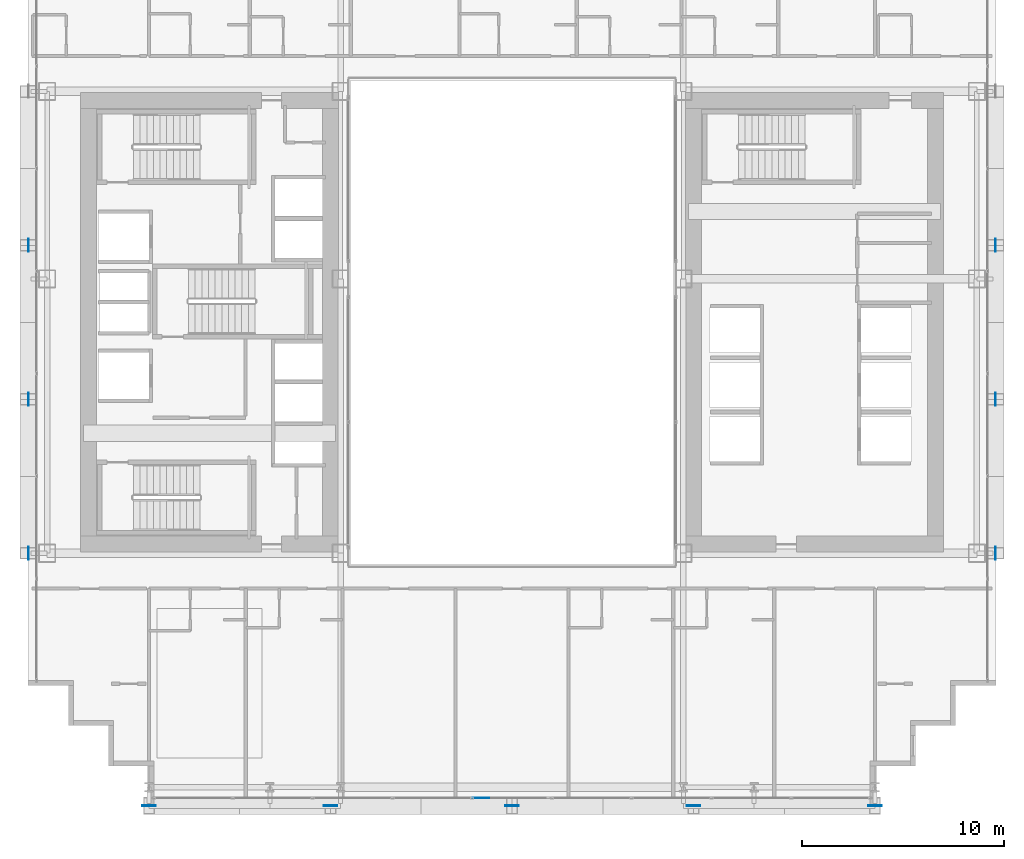
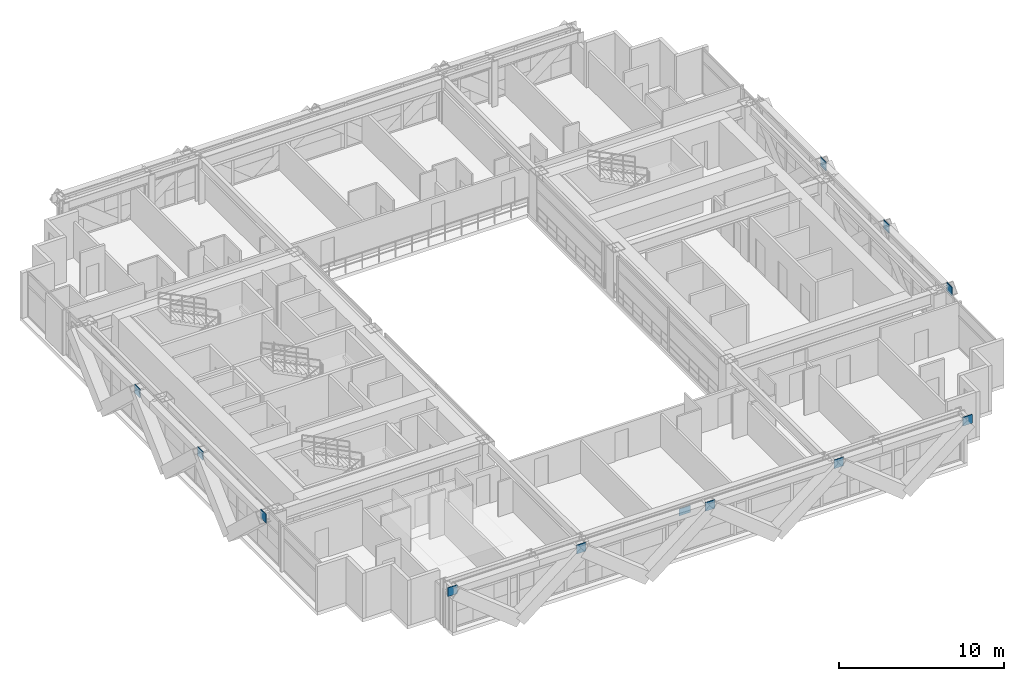
# One storey, part 31 of 41: 12 plates, 1 element without a shape of its own.
"""IFC4 building model written with IfcOpenShell, lengths in metres."""

import ifcopenshell
import ifcopenshell.guid

model = None  # the IFC model being written
_history = None  # IfcOwnerHistory: only IFC2X3 demands one
_inside = {}  # id of a spatial element -> (the spatial element, [elements in it])
_under = {}  # id of a project, library or spatial element -> (it, [spatial elements below it])
_declared = {}  # id of a project -> (the project, [libraries it declares])
_typed = {}  # id of a type object -> (the type object, [elements of that type])
_made_of = {}  # id of a material, layer set ... -> (it, [elements and type objects made of it])


def new_model(schema):
    """Start an empty IFC model of exactly this schema.

    Asked for "IFC4X3", IfcOpenShell would pick the latest addendum, in which some entities
    have other attributes; the version numbers below select the first issue.
    IFC2X3 requires an IfcOwnerHistory on every rooted entity: one is made here for all.
    """
    global model, _history
    if schema == "IFC4X3":
        model = ifcopenshell.file(schema_version=(4, 3, 0, 0))
    else:
        model = ifcopenshell.file(schema=schema)
    _inside.clear()
    _under.clear()
    _declared.clear()
    _typed.clear()
    _made_of.clear()
    _history = None
    if model.schema == "IFC2X3":
        org = make("IfcOrganization", Name="unknown")
        user = make(
            "IfcPersonAndOrganization",
            ThePerson=make("IfcPerson", FamilyName="unknown"),
            TheOrganization=org,
        )
        app = make(
            "IfcApplication",
            ApplicationDeveloper=org,
            Version="unknown",
            ApplicationFullName="unknown",
            ApplicationIdentifier="unknown",
        )
        _history = make(
            "IfcOwnerHistory",
            OwningUser=user,
            OwningApplication=app,
            ChangeAction="ADDED",
            CreationDate=0,
        )
    return model


def make(cls, **values):
    """One entity of the class cls with the attributes given. An attribute that is None is left unset."""
    return model.create_entity(
        cls, **{name: value for name, value in values.items() if value is not None}
    )


def rooted(cls, **values):
    """An entity with a GlobalId (a new one), such as an element, a storey or a relation."""
    return make(cls, GlobalId=ifcopenshell.guid.new(), OwnerHistory=_history, **values)


def si_unit(unit_type, name, prefix=None):
    """IfcSIUnit, for example si_unit("LENGTHUNIT", "METRE", prefix="MILLI")."""
    return make("IfcSIUnit", UnitType=unit_type, Prefix=prefix, Name=name)


def assignment(units):
    """IfcUnitAssignment: the units of a project."""
    return None if units is None else make("IfcUnitAssignment", Units=units)


def point(xyz):
    """IfcCartesianPoint."""
    return None if xyz is None else make("IfcCartesianPoint", Coordinates=xyz)


def direction(xyz):
    """IfcDirection."""
    return None if xyz is None else make("IfcDirection", DirectionRatios=xyz)


def frame(location, z_axis=None, x_axis=None):
    """IfcAxis2Placement3D, a coordinate frame: its origin and axes. An axis left out is left unset."""
    return make(
        "IfcAxis2Placement3D",
        Location=point(location),
        Axis=direction(z_axis),
        RefDirection=direction(x_axis),
    )


def frame_2d(location, x_axis=None):
    """IfcAxis2Placement2D, a coordinate frame in the plane: its origin and x axis."""
    return make(
        "IfcAxis2Placement2D", Location=point(location), RefDirection=direction(x_axis)
    )


def origin():
    """The frame at (0, 0, 0) with its axes left unset."""
    return frame((0.0, 0.0, 0.0))


def origin_2d():
    """The frame at (0, 0) in the plane with its x axis left unset."""
    return frame_2d((0.0, 0.0))


def place(relative_to, where):
    """IfcLocalPlacement: puts the frame where relative to a parent placement (None: the world)."""
    return make(
        "IfcLocalPlacement", PlacementRelTo=relative_to, RelativePlacement=where
    )


def context(
    kind, dimensions, precision=None, world=None, true_north=None, identifier=None
):
    """IfcGeometricRepresentationContext, for example the 3D "Model" context."""
    return make(
        "IfcGeometricRepresentationContext",
        ContextIdentifier=identifier,
        ContextType=kind,
        CoordinateSpaceDimension=dimensions,
        Precision=precision,
        WorldCoordinateSystem=world,
        TrueNorth=true_north,
    )


def subcontext(parent, identifier, kind, view, scale=None):
    """IfcGeometricRepresentationSubContext, for example "Body" below "Model"."""
    return make(
        "IfcGeometricRepresentationSubContext",
        ContextIdentifier=identifier,
        ContextType=kind,
        ParentContext=parent,
        TargetScale=scale,
        TargetView=view,
    )


def project(units=None, contexts=None):
    """IfcProject with its units and contexts."""
    return rooted(
        "IfcProject",
        Name="project",
        RepresentationContexts=contexts,
        UnitsInContext=assignment(units),
    )


def spatial(cls, under=None, at=None, **own):
    """A site, building, storey or space (cls), placed at a placement, below another one or the project."""
    s = rooted(cls, ObjectPlacement=at, **own)
    if under is not None:
        _under.setdefault(under.id(), (under, []))[1].append(s)
    return s


def profile(cls, at=None, kind="AREA", **sizes):
    """A parametric profile (cls). Its sizes go by their IFC names, for example OverallWidth=200.0."""
    return make(cls, ProfileType=kind, Position=at, **sizes)


def rectangle(**sizes):
    """IfcRectangleProfileDef."""
    return profile("IfcRectangleProfileDef", **sizes)


def extrude(swept, where, along, depth):
    """IfcExtrudedAreaSolid: the profile swept, set in the frame where, extruded along a direction by depth."""
    return make(
        "IfcExtrudedAreaSolid",
        SweptArea=swept,
        Position=where,
        ExtrudedDirection=direction(along),
        Depth=depth,
    )


def shape(context_of_items, identifier, shape_type, items):
    """IfcShapeRepresentation: the items that make up one representation, for example the "Body"."""
    return make(
        "IfcShapeRepresentation",
        ContextOfItems=context_of_items,
        RepresentationIdentifier=identifier,
        RepresentationType=shape_type,
        Items=items,
    )


def source(mapping_origin, context_of_items, identifier, shape_type, items):
    """IfcRepresentationMap: a shape defined once, which mapped items show again and again."""
    return make(
        "IfcRepresentationMap",
        MappingOrigin=mapping_origin,
        MappedRepresentation=shape(context_of_items, identifier, shape_type, items),
    )


def transform(
    local_origin,
    x_axis=None,
    y_axis=None,
    z_axis=None,
    scale=None,
    scale2=None,
    scale3=None,
    uniform=True,
):
    """IfcCartesianTransformationOperator3D, or its non-uniform kind. x_axis, y_axis, z_axis: its Axis1, 2, 3."""
    if uniform:
        return make(
            "IfcCartesianTransformationOperator3D",
            Axis1=direction(x_axis),
            Axis2=direction(y_axis),
            LocalOrigin=point(local_origin),
            Scale=scale,
            Axis3=direction(z_axis),
        )
    return make(
        "IfcCartesianTransformationOperator3DnonUniform",
        Axis1=direction(x_axis),
        Axis2=direction(y_axis),
        LocalOrigin=point(local_origin),
        Scale=scale,
        Axis3=direction(z_axis),
        Scale2=scale2,
        Scale3=scale3,
    )


def mapped(mapping_source, mapping_target):
    """IfcMappedItem: shows the shape of a source again, moved by a transform."""
    return make(
        "IfcMappedItem", MappingSource=mapping_source, MappingTarget=mapping_target
    )


def material(Name=None, Category=None):
    """IfcMaterial."""
    return make("IfcMaterial", Name=Name, Category=Category)


def layer(
    of_material, thickness, ventilated=None, Name=None, Category=None, Priority=None
):
    """IfcMaterialLayer: one layer of a wall or slab, of a material (None: an air gap)."""
    return make(
        "IfcMaterialLayer",
        Material=of_material,
        LayerThickness=thickness,
        IsVentilated=ventilated,
        Name=Name,
        Category=Category,
        Priority=Priority,
    )


def layer_set(layers, Name=None):
    """IfcMaterialLayerSet."""
    return make("IfcMaterialLayerSet", MaterialLayers=layers, LayerSetName=Name)


def made_of(thing, what):
    """Note that an element or type object is made of a material, layer set ...; save() writes the relation."""
    if what is not None:
        _made_of.setdefault(what.id(), (what, []))[1].append(thing)
    return thing


def type_object(cls, material=None, **own):
    """A type object (cls), such as IfcWallType, which elements share."""
    return made_of(rooted(cls, **own), material)


def element(
    cls,
    number,
    at=None,
    inside=None,
    cuts=None,
    type_object=None,
    material=None,
    context=None,
    identifier="Body",
    shape_type=None,
    held_by="IfcProductDefinitionShape",
    body=None,
    shapes=None,
    **own,
):
    """One element of the class cls, such as IfcWall. Its Tag is "e" and its number.

    at: its placement. inside: the storey or other place that contains it. cuts: it is an
    opening in that element (IfcRelVoidsElement). A single representation is given by context,
    identifier, shape_type and body (its items); several are given by shapes. held_by: the class
    of the entity that holds the representations. save() writes the other relations.
    """
    e = rooted(cls, Tag="e%d" % number, ObjectPlacement=at, **own)
    if body is not None:
        shapes = [shape(context, identifier, shape_type, body)]
    if shapes is not None:
        e.Representation = make(held_by, Representations=shapes)
    if inside is not None:
        _inside.setdefault(inside.id(), (inside, []))[1].append(e)
    if cuts is not None:
        rooted(
            "IfcRelVoidsElement", RelatingBuildingElement=cuts, RelatedOpeningElement=e
        )
    if type_object is not None:
        _typed.setdefault(type_object.id(), (type_object, []))[1].append(e)
    return made_of(e, material)


def aggregate(whole, parts):
    """IfcRelAggregates: a whole, such as a stair, and the parts it consists of."""
    return rooted("IfcRelAggregates", RelatingObject=whole, RelatedObjects=parts)


def save(model, path):
    """Write the relations noted so far, then the file.

    IfcRelAggregates (storeys below a building ...), IfcRelContainedInSpatialStructure (elements
    in a storey), IfcRelDefinesByType, IfcRelAssociatesMaterial and IfcRelDeclares: one each for
    every whole, place, type object, material and project.
    """
    for whole, parts in _under.values():
        aggregate(whole, parts)
    for where, things in _inside.values():
        rooted(
            "IfcRelContainedInSpatialStructure",
            RelatedElements=things,
            RelatingStructure=where,
        )
    for kind, things in _typed.values():
        rooted("IfcRelDefinesByType", RelatedObjects=things, RelatingType=kind)
    for what, things in _made_of.values():
        rooted("IfcRelAssociatesMaterial", RelatedObjects=things, RelatingMaterial=what)
    for by, libraries in _declared.values():
        rooted("IfcRelDeclares", RelatingContext=by, RelatedDefinitions=libraries)
    model.write(path)


model = new_model("IFC4")

# Units and contexts
model_context = context("Model", 3, precision=1e-05, world=origin(), true_north=direction((0.0, 1.0)))
body_context = subcontext(model_context, "Body", "Model", "MODEL_VIEW")
ifc_project = project(units=[si_unit("LENGTHUNIT", "METRE"), si_unit("AREAUNIT", "SQUARE_METRE"), si_unit("VOLUMEUNIT", "CUBIC_METRE"), si_unit("PLANEANGLEUNIT", "RADIAN"), si_unit("MASSUNIT", "GRAM", prefix="KILO")], contexts=[model_context])

# Site, building, storey
site_placement = place(None, origin())
site = spatial("IfcSite", under=ifc_project, at=site_placement, CompositionType="ELEMENT")
building_placement = place(site_placement, origin())
building = spatial("IfcBuilding", under=site, at=building_placement, Name="Ocotamira Hotel", CompositionType="ELEMENT")
storey_placement = place(building_placement, frame((0.0, 0.0, 67.199951171875)))
storey = spatial("IfcBuildingStorey", under=building, at=storey_placement, Name="L16", CompositionType="ELEMENT", Elevation=67.199951171875)

# Plates
ifc_material_1 = material(Name="Pale-metal coated steel ASTM A572 Grade 50", Category="steel")
ifc_layer_1 = layer(ifc_material_1, 0.0400390625)
ifc_layer_set_1 = layer_set([ifc_layer_1], Name="Pale-metal coated steel ASTM A572 Grade 50")
plate_type_1 = type_object("IfcPlateType", Name="PLT-GUSSET-40", PredefinedType="SHEET", material=ifc_layer_set_1)
shared_shape_1 = source(origin(), body_context, "Body", "SweptSolid", [
    extrude(rectangle(XDim=0.64990234375, YDim=0.0400390625, at=origin_2d()), origin(), (0.0, 0.0, 1.0), 0.64990234375),
])
for number, where, z_axis, x_axis, name in (
    (1, (14.0, 2.030029296875, 2.775146484375), (0.0, 0.0, 1.0), (-1.0, 0.0, 0.0), "L16 Exoskeleton Diagrid S0.1 End Gusset B"),
    (2, (23.0, 2.030029296875, 2.775146484375), (0.0, 0.0, 1.0), (1.0, 0.0, 0.0), "L16 Exoskeleton Diagrid S0.2 End Gusset B"),
    (3, (32.0, 2.030029296875, 2.775146484375), (0.0, 0.0, 1.0), (1.0, 0.0, 0.0), "L16 Exoskeleton Diagrid S1.2 End Gusset B"),
    (4, (41.0, 2.030029296875, 2.775146484375), (0.0, 0.0, 1.0), (1.0, 0.0, 0.0), "L16 Exoskeleton Diagrid S2.2 End Gusset B"),
    (5, (50.0, 2.030029296875, 2.775146484375), (0.0, 0.0, 1.0), (1.0, 0.0, 0.0), "L16 Exoskeleton Diagrid S3.2 End Gusset B"),
):
    element("IfcPlate", number, at=place(storey_placement, frame(where, z_axis=z_axis, x_axis=x_axis)), inside=storey, type_object=plate_type_1, Name=name, PredefinedType="SHEET", context=body_context, shape_type="MappedRepresentation", body=[
        mapped(shared_shape_1, transform((0.0, 0.0, 0.0), scale=1.0)),
    ])
shared_shape_2 = source(origin(), body_context, "Body", "SweptSolid", [
    extrude(rectangle(XDim=0.0400390625, YDim=0.64990234375, at=origin_2d()), origin(), (0.0, 0.0, 1.0), 0.64990234375),
])
for number, where, z_axis, x_axis, name in (
    (6, (8.030029296875, 14.550048828125, 2.775146484375), (0.0, 0.0, 1.0), (1.0, 0.0, 0.0), "L16 Exoskeleton Diagrid W0.1 End Gusset B"),
    (7, (8.030029296875, 22.183349609375, 2.775146484375), (0.0, 0.0, 1.0), (1.0, 0.0, 0.0), "L16 Exoskeleton Diagrid W0.2 End Gusset B"),
    (8, (8.030029296875, 29.816650390625, 2.775146484375), (0.0, 0.0, 1.0), (1.0, 0.0, 0.0), "L16 Exoskeleton Diagrid W1.2 End Gusset B"),
    (9, (55.969970703125, 14.550048828125, 2.775146484375), (0.0, 0.0, 1.0), (1.0, 0.0, 0.0), "L16 Exoskeleton Diagrid E0.1 End Gusset B"),
    (10, (55.969970703125, 22.183349609375, 2.775146484375), (0.0, 0.0, 1.0), (1.0, 0.0, 0.0), "L16 Exoskeleton Diagrid E0.2 End Gusset B"),
    (11, (55.969970703125, 29.816650390625, 2.775146484375), (0.0, 0.0, 1.0), (1.0, 0.0, 0.0), "L16 Exoskeleton Diagrid E1.2 End Gusset B"),
):
    element("IfcPlate", number, at=place(storey_placement, frame(where, z_axis=z_axis, x_axis=x_axis)), inside=storey, type_object=plate_type_1, Name=name, PredefinedType="SHEET", context=body_context, shape_type="MappedRepresentation", body=[
        mapped(shared_shape_2, transform((0.0, 0.0, 0.0), scale=1.0)),
    ])

# Curtain wall, plate
ifc_material_2 = material(Name="Anodised pale-metal aluminium and solar glass", Category="aluminium")
ifc_layer_2 = layer(ifc_material_2, 0.179931640625)
ifc_layer_set_2 = layer_set([ifc_layer_2], Name="Anodised pale-metal aluminium and solar glass")
curtain_wall_type = type_object("IfcCurtainWallType", Name="CW-SYS2-Z1", PredefinedType="NOTDEFINED", material=ifc_layer_set_2)
curtain_wall_placement = place(storey_placement, origin())
curtain_wall = element("IfcCurtainWall", 12, at=curtain_wall_placement, inside=storey, type_object=curtain_wall_type, Name="L16 Curtain Wall CW-2 CW-L16-S1", PredefinedType="NOTDEFINED")
ifc_material_3 = material(Name="Double-silver low-E insulated solar glass", Category="glass")
ifc_layer_3 = layer(ifc_material_3, 0.031982421875)
ifc_layer_set_3 = layer_set([ifc_layer_3], Name="Double-silver low-E insulated solar glass")
plate_type_2 = type_object("IfcPlateType", Name="CWP-VISION-32", PredefinedType="CURTAIN_PANEL", material=ifc_layer_set_3)
shared_shape_3 = source(origin(), body_context, "Body", "SweptSolid", [
    extrude(rectangle(XDim=0.797607421875, YDim=0.031982421875, at=origin_2d()), origin(), (0.0, 0.0, 1.0), 0.5107421875),
])
plate_placement = place(storey_placement, frame((30.461181640625, 2.419921875, 2.76416015625), z_axis=(0.0, 0.0, 1.0), x_axis=(1.0, 0.0, 0.0)))
plate = element("IfcPlate", 13, at=plate_placement, type_object=plate_type_2, Name="CW-2 panel 5.2.1", PredefinedType="CURTAIN_PANEL", context=body_context, shape_type="MappedRepresentation", body=[
    mapped(shared_shape_3, transform((0.0, 0.0, 0.0), scale=1.0)),
])
aggregate(curtain_wall, [plate])

save(model, "model.ifc")
